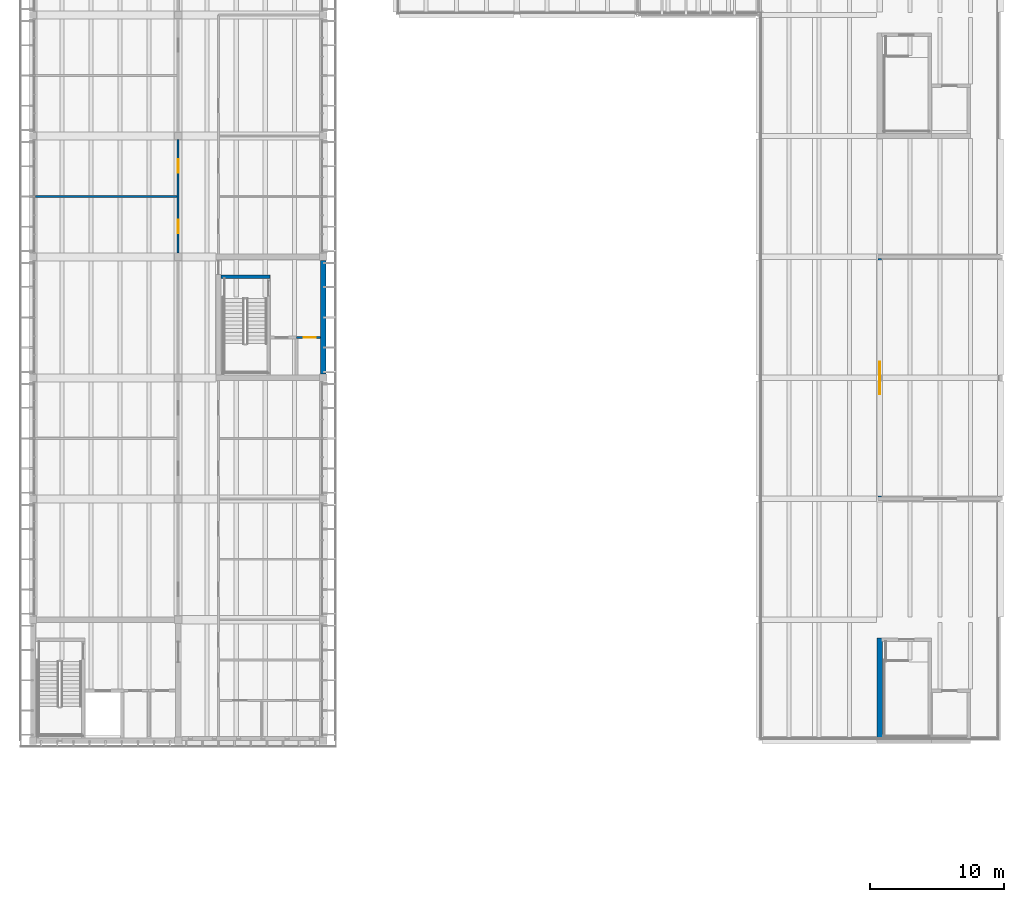
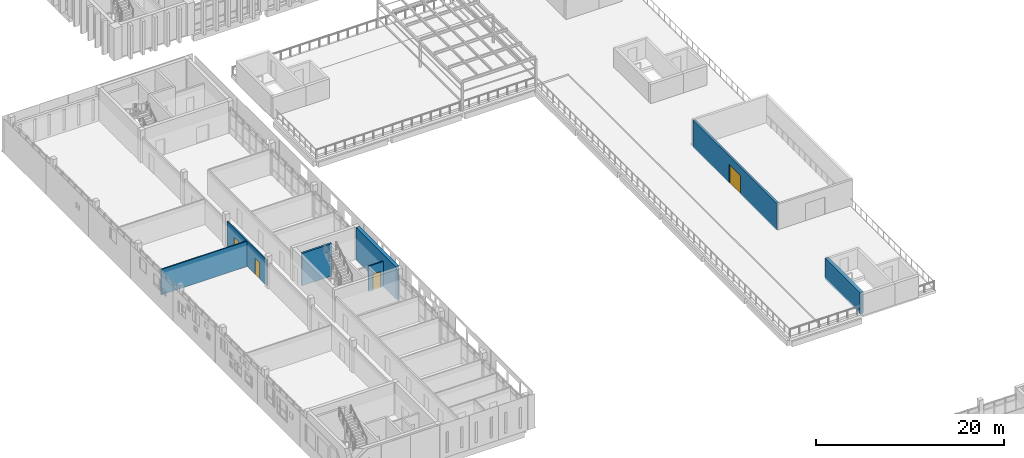
# One storey, part 45 of 74: 7 walls, 4 doors, 4 openings.
"""IFC4 building model written with IfcOpenShell, lengths in metres."""

from ifc_helpers import new_model, si_unit, direction, frame, frame_2d, origin, place, context, subcontext, project, spatial, rectangle, extrude, material, layer, layer_set, type_object, element, fill, save


model = new_model("IFC4")

# Units and contexts
model_context = context("Model", 3, precision=1e-05, world=origin(), true_north=direction((0.0, 1.0)))
body_context = subcontext(model_context, "Body", "Model", "MODEL_VIEW")
ifc_project = project(units=[si_unit("LENGTHUNIT", "METRE"), si_unit("AREAUNIT", "SQUARE_METRE"), si_unit("VOLUMEUNIT", "CUBIC_METRE"), si_unit("PLANEANGLEUNIT", "RADIAN"), si_unit("MASSUNIT", "GRAM", prefix="KILO")], contexts=[model_context])

# Site, building, storey
site_placement = place(None, origin())
site = spatial("IfcSite", under=ifc_project, at=site_placement, CompositionType="ELEMENT")
building_placement = place(site_placement, origin())
building = spatial("IfcBuilding", under=site, at=building_placement, Name="Merrow Basin Faculty of Sciences", CompositionType="ELEMENT")
storey_placement = place(building_placement, frame((0.0, 0.0, 13.5)))
storey = spatial("IfcBuildingStorey", under=building, at=storey_placement, Name="L03", CompositionType="ELEMENT", Elevation=13.5)

# Wall, opening, door
ifc_material_1 = material(Name="Fire-rated gypsum board")
ifc_layer_1 = layer(ifc_material_1, 0.14990234375)
ifc_layer_set_1 = layer_set([ifc_layer_1], Name="Corridor partition 150 fire-rated board on steel studs")
wall_type_1 = type_object("IfcWallType", Name="Corridor partition 150 fire-rated board on steel studs", PredefinedType="PARTITIONING", material=ifc_layer_set_1)
wall_1_placement = place(storey_placement, frame((19.60009765625, 91.0, 0.0), z_axis=(0.0, 0.0, 1.0), x_axis=(1.0, 0.0, 0.0)))
wall_1 = element("IfcWall", 1, at=wall_1_placement, inside=storey, type_object=wall_type_1, Name="IW151 L03 011", PredefinedType="PARTITIONING", context=body_context, shape_type="SweptSolid", body=[
    extrude(rectangle(XDim=1.7998046875, YDim=0.14990234375, at=frame_2d((0.89990234375, 0.0))), origin(), (0.0, 0.0, 1.0), 3.300048828125),
])
opening_1_placement = place(wall_1_placement, frame((0.550048828125, 0.0, 0.0)))
opening_1 = element("IfcOpeningElement", 2, at=opening_1_placement, cuts=wall_1, Name="Opening D03B008", PredefinedType="OPENING", context=body_context, shape_type="SweptSolid", body=[
    extrude(rectangle(XDim=0.89990234375, YDim=2.10009765625, at=frame_2d((0.449951171875, 1.050048828125))), frame((0.0, 0.0849609375, 0.0), z_axis=(0.0, -1.0, 0.0), x_axis=(1.0, 0.0, 0.0)), (0.0, 0.0, 1.0), 0.169921875),
])
ifc_material_2 = material(Name="Fire-rated steel door", Category="steel")
door_type_1 = type_object("IfcDoorType", Name="Fire door FD60 900 x 2100", OperationType="NOTDEFINED", PredefinedType="DOOR", material=ifc_material_2)
door_1_placement = place(opening_1_placement, origin())
door_1 = element("IfcDoor", 3, at=door_1_placement, inside=storey, type_object=door_type_1, Name="Door D03B008", OperationType="SINGLE_SWING_RIGHT", OverallHeight=2.10009765625, OverallWidth=0.89990234375, PredefinedType="DOOR", context=body_context, shape_type="SweptSolid", body=[
    extrude(rectangle(XDim=0.89990234375, YDim=2.10009765625, at=frame_2d((0.449951171875, 1.050048828125))), frame((0.0, 0.02490234375, 0.0), z_axis=(0.0, -1.0, 0.0), x_axis=(1.0, 0.0, 0.0)), (0.0, 0.0, 1.0), 0.050048828125),
])
fill(opening_1, door_1)

# Wall, openings, doors
ifc_material_3 = material(Name="Fire-rated gypsum board")
ifc_layer_2 = layer(ifc_material_3, 0.14990234375)
ifc_layer_set_2 = layer_set([ifc_layer_2], Name="Laboratory partition 150 fire-rated board on steel studs")
wall_type_2 = type_object("IfcWallType", Name="Laboratory partition 150 fire-rated board on steel studs", PredefinedType="PARTITIONING", material=ifc_layer_set_2)
wall_2_placement = place(storey_placement, frame((10.800048828125, 97.27490234375, 0.0), z_axis=(0.0, 0.0, 1.0), x_axis=(0.0, 1.0, 0.0)))
wall_2 = element("IfcWall", 4, at=wall_2_placement, inside=storey, type_object=wall_type_2, Name="IW150 L03 016", PredefinedType="PARTITIONING", context=body_context, shape_type="SweptSolid", body=[
    extrude(rectangle(XDim=8.4501953125, YDim=0.14990234375, at=frame_2d((4.22509765625, 0.0))), origin(), (0.0, 0.0, 1.0), 3.300048828125),
])
opening_2_placement = place(wall_2_placement, frame((1.47509765625, 0.0, 0.0)))
opening_2 = element("IfcOpeningElement", 5, at=opening_2_placement, cuts=wall_2, Name="Opening D03B018", PredefinedType="OPENING", context=body_context, shape_type="SweptSolid", body=[
    extrude(rectangle(XDim=1.0, YDim=2.10009765625, at=frame_2d((0.5, 1.050048828125))), frame((0.0, 0.0849609375, 0.0), z_axis=(0.0, -1.0, 0.0), x_axis=(1.0, 0.0, 0.0)), (0.0, 0.0, 1.0), 0.169921875),
])
opening_3_placement = place(wall_2_placement, frame((5.97509765625, 0.0, 0.0)))
opening_3 = element("IfcOpeningElement", 6, at=opening_3_placement, cuts=wall_2, Name="Opening D03B019", PredefinedType="OPENING", context=body_context, shape_type="SweptSolid", body=[
    extrude(rectangle(XDim=1.0, YDim=2.10009765625, at=frame_2d((0.5, 1.050048828125))), frame((0.0, 0.0849609375, 0.0), z_axis=(0.0, -1.0, 0.0), x_axis=(1.0, 0.0, 0.0)), (0.0, 0.0, 1.0), 0.169921875),
])
ifc_material_4 = material(Name="Fire-rated steel door", Category="steel")
door_type_2 = type_object("IfcDoorType", Name="Fire door FD60 1000 x 2100", OperationType="NOTDEFINED", PredefinedType="DOOR", material=ifc_material_4)
door_2_placement = place(opening_2_placement, origin())
door_2 = element("IfcDoor", 7, at=door_2_placement, inside=storey, type_object=door_type_2, Name="Door D03B018", OperationType="SINGLE_SWING_RIGHT", OverallHeight=2.10009765625, OverallWidth=1.0, PredefinedType="DOOR", context=body_context, shape_type="SweptSolid", body=[
    extrude(rectangle(XDim=1.0, YDim=2.10009765625, at=frame_2d((0.5, 1.050048828125))), frame((0.0, 0.02490234375, 0.0), z_axis=(0.0, -1.0, 0.0), x_axis=(1.0, 0.0, 0.0)), (0.0, 0.0, 1.0), 0.050048828125),
])
fill(opening_2, door_2)
door_3_placement = place(opening_3_placement, origin())
door_3 = element("IfcDoor", 8, at=door_3_placement, inside=storey, type_object=door_type_2, Name="Door D03B019", OperationType="SINGLE_SWING_LEFT", OverallHeight=2.10009765625, OverallWidth=1.0, PredefinedType="DOOR", context=body_context, shape_type="SweptSolid", body=[
    extrude(rectangle(XDim=1.0, YDim=2.10009765625, at=frame_2d((0.5, 1.050048828125))), frame((0.0, 0.02490234375, 0.0), z_axis=(0.0, -1.0, 0.0), x_axis=(1.0, 0.0, 0.0)), (0.0, 0.0, 1.0), 0.050048828125),
])
fill(opening_3, door_3)

# Wall
wall_3_placement = place(storey_placement, frame((0.179931640625, 101.5, 0.0), z_axis=(0.0, 0.0, 1.0), x_axis=(1.0, 0.0, 0.0)))
element("IfcWall", 9, at=wall_3_placement, inside=storey, type_object=wall_type_2, Name="IW150 L03 020", PredefinedType="PARTITIONING", context=body_context, shape_type="SweptSolid", body=[
    extrude(rectangle(XDim=10.545166015625, YDim=0.14990234375, at=frame_2d((5.2724609375, 0.0))), origin(), (0.0, 0.0, 1.0), 3.300048828125),
])

# Wall, opening, door
ifc_material_5 = material(Name="Concrete C40/50", Category="concrete")
ifc_layer_3 = layer(ifc_material_5, 0.25)
ifc_layer_set_3 = layer_set([ifc_layer_3], Name="Pavilion wall 250 Concrete C40/50")
wall_type_3 = type_object("IfcWallType", Name="Pavilion wall 250 Concrete C40/50", PredefinedType="SHEAR", material=ifc_layer_set_3)
wall_4_placement = place(storey_placement, frame((63.0, 79.125, 0.0), z_axis=(0.0, 0.0, 1.0), x_axis=(0.0, 1.0, 0.0)))
wall_4 = element("IfcWall", 10, at=wall_4_placement, inside=storey, type_object=wall_type_3, Name="SW9 L03 031", PredefinedType="SHEAR", context=body_context, shape_type="SweptSolid", body=[
    extrude(rectangle(XDim=17.75, YDim=0.25, at=frame_2d((8.875, 0.0))), origin(), (0.0, 0.0, 1.0), 3.5),
])
opening_4_placement = place(wall_4_placement, frame((7.675048828125, 0.0, 0.0)))
opening_4 = element("IfcOpeningElement", 11, at=opening_4_placement, cuts=wall_4, Name="Opening D03C001", PredefinedType="OPENING", context=body_context, shape_type="SweptSolid", body=[
    extrude(rectangle(XDim=2.39990234375, YDim=2.39990234375, at=frame_2d((1.199951171875, 1.199951171875))), frame((0.0, 0.135009765625, 0.0), z_axis=(0.0, -1.0, 0.0), x_axis=(1.0, 0.0, 0.0)), (0.0, 0.0, 1.0), 0.27001953125),
])
ifc_material_6 = material(Name="Glazed aluminium door", Category="aluminium")
door_type_3 = type_object("IfcDoorType", Name="Glazed double door 2400 x 2400", OperationType="NOTDEFINED", PredefinedType="DOOR", material=ifc_material_6)
door_4_placement = place(opening_4_placement, origin())
door_4 = element("IfcDoor", 12, at=door_4_placement, inside=storey, type_object=door_type_3, Name="Terrace cafe west door", OperationType="DOUBLE_DOOR_SINGLE_SWING", OverallHeight=2.39990234375, OverallWidth=2.39990234375, PredefinedType="DOOR", context=body_context, shape_type="SweptSolid", body=[
    extrude(rectangle(XDim=2.39990234375, YDim=2.39990234375, at=frame_2d((1.199951171875, 1.199951171875))), frame((0.0, 0.02490234375, 0.0), z_axis=(0.0, -1.0, 0.0), x_axis=(1.0, 0.0, 0.0)), (0.0, 0.0, 1.0), 0.050048828125),
])
fill(opening_4, door_4)

# Walls
ifc_material_7 = material(Name="Concrete C40/50", Category="concrete")
ifc_layer_4 = layer(ifc_material_7, 0.25)
ifc_layer_set_4 = layer_set([ifc_layer_4], Name="Shear wall 250 Concrete C40/50")
wall_type_4 = type_object("IfcWallType", Name="Shear wall 250 Concrete C40/50", PredefinedType="SHEAR", material=ifc_layer_set_4)
wall_5_placement = place(storey_placement, frame((14.0, 95.52490234375, 0.0), z_axis=(0.0, 0.0, 1.0), x_axis=(1.0, 0.0, 0.0)))
element("IfcWall", 13, at=wall_5_placement, inside=storey, type_object=wall_type_4, Name="SW2 L03 013", PredefinedType="SHEAR", context=body_context, shape_type="SweptSolid", body=[
    extrude(rectangle(XDim=3.64990234375, YDim=0.25, at=frame_2d((1.824951171875, 0.0))), origin(), (0.0, 0.0, 1.0), 4.199951171875),
])
ifc_material_8 = material(Name="Concrete C40/50", Category="concrete")
ifc_layer_5 = layer(ifc_material_8, 0.39990234375)
ifc_layer_set_5 = layer_set([ifc_layer_5], Name="Shear wall 400 Concrete C40/50")
wall_type_5 = type_object("IfcWallType", Name="Shear wall 400 Concrete C40/50", PredefinedType="SHEAR", material=ifc_layer_set_5)
wall_6_placement = place(storey_placement, frame((21.60009765625, 88.27490234375, 0.0), z_axis=(0.0, 0.0, 1.0), x_axis=(0.0, 1.0, 0.0)))
element("IfcWall", 14, at=wall_6_placement, inside=storey, type_object=wall_type_5, Name="SW1 L03 012", PredefinedType="SHEAR", context=body_context, shape_type="SweptSolid", body=[
    extrude(rectangle(XDim=8.4501953125, YDim=0.39990234375, at=frame_2d((4.22509765625, 0.0))), origin(), (0.0, 0.0, 1.0), 4.199951171875),
])
wall_7_placement = place(storey_placement, frame((63.0, 61.199951171875, 0.0), z_axis=(0.0, 0.0, 1.0), x_axis=(0.0, 1.0, 0.0)))
element("IfcWall", 15, at=wall_7_placement, inside=storey, type_object=wall_type_5, Name="SW1 L03 010", PredefinedType="SHEAR", context=body_context, shape_type="SweptSolid", body=[
    extrude(rectangle(XDim=7.449951171875, YDim=0.39990234375, at=frame_2d((3.72509765625, 0.0))), origin(), (0.0, 0.0, 1.0), 2.75),
])

save(model, "model.ifc")
